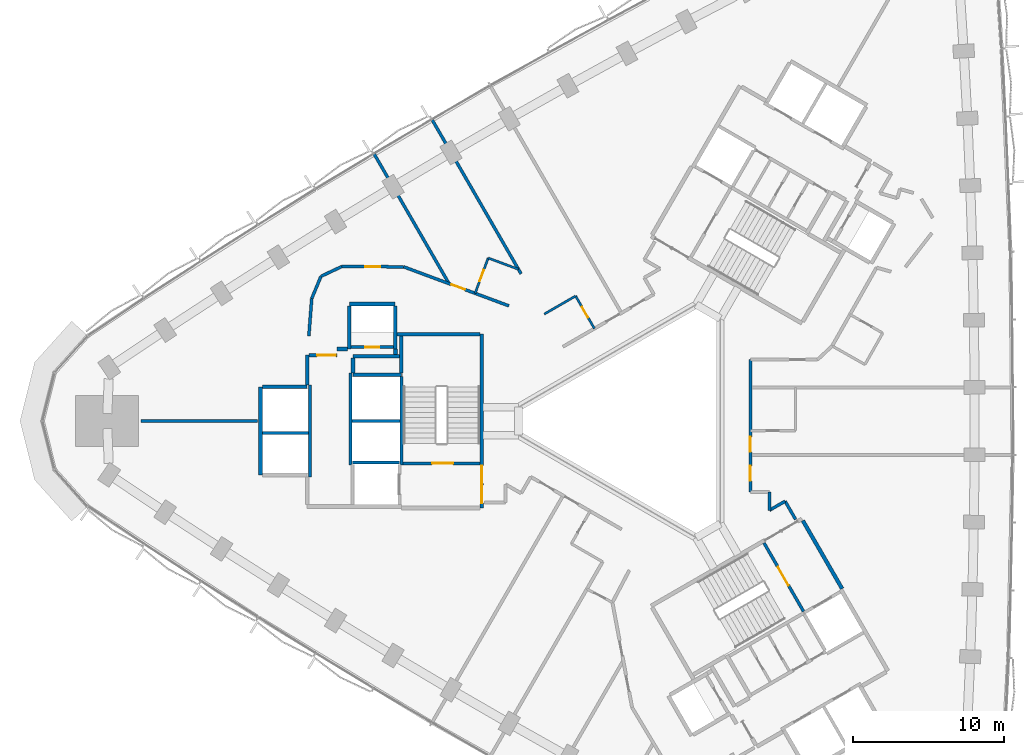
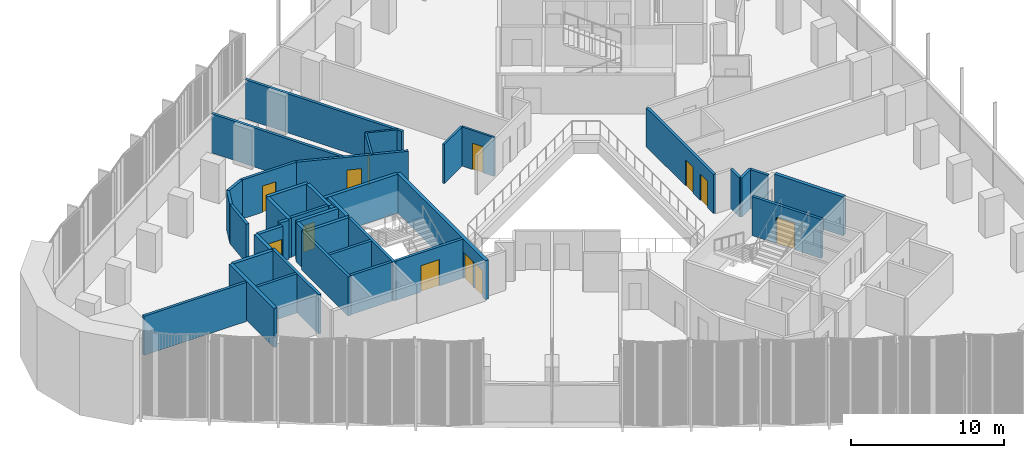
# One storey, part 11 of 16: 41 walls, 12 doors, 12 openings.
"""IFC4 building model written with IfcOpenShell, lengths in metres."""

from ifc_helpers import new_model, si_unit, direction, frame, frame_2d, origin, place, context, subcontext, project, spatial, rectangle, extrude, material, layer, layer_set, type_object, element, fill, save


model = new_model("IFC4")

# Units and contexts
model_context = context("Model", 3, precision=1e-05, world=origin(), true_north=direction((0.0, 1.0)))
body_context = subcontext(model_context, "Body", "Model", "MODEL_VIEW")
ifc_project = project(units=[si_unit("LENGTHUNIT", "METRE"), si_unit("AREAUNIT", "SQUARE_METRE"), si_unit("VOLUMEUNIT", "CUBIC_METRE"), si_unit("PLANEANGLEUNIT", "RADIAN"), si_unit("MASSUNIT", "GRAM", prefix="KILO")], contexts=[model_context])

# Site, building, storey
site_placement = place(None, origin())
site = spatial("IfcSite", under=ifc_project, at=site_placement, CompositionType="ELEMENT")
building_placement = place(site_placement, origin())
building = spatial("IfcBuilding", under=site, at=building_placement, Name="Tamra Quay Hotel Tower", CompositionType="ELEMENT")
storey_placement = place(building_placement, frame((0.0, 0.0, 45.800048828125)))
storey = spatial("IfcBuildingStorey", under=building, at=storey_placement, Name="L09", CompositionType="ELEMENT", Elevation=45.800048828125)

# Walls
ifc_material_1 = material(Name="Concrete M70", Category="concrete")
ifc_layer_1 = layer(ifc_material_1, 0.199951171875)
ifc_layer_set_1 = layer_set([ifc_layer_1], Name="Concrete M70 core wall 200")
wall_type_1 = type_object("IfcWallType", Name="Concrete M70 core wall 200", PredefinedType="SHEAR", material=ifc_layer_set_1)
wall_1_placement = place(storey_placement, frame((-16.162109375, 2.95068359375, 0.0), z_axis=(0.0, 0.0, 1.0), x_axis=(0.0, -1.0, 0.0)))
element("IfcWall", 1, at=wall_1_placement, inside=storey, type_object=wall_type_1, Name="CW2", PredefinedType="SHEAR", context=body_context, shape_type="SweptSolid", body=[
    extrude(rectangle(XDim=5.850830078125, YDim=0.199951171875, at=frame_2d((2.92529296875, 0.0))), origin(), (0.0, 0.0, 1.0), 3.125),
])
for number, where, z_axis, x_axis, name in (
    (2, (-19.5625, -2.900146484375, 0.0), (0.0, 0.0, 1.0), (0.0, 1.0, 0.0), "CW2"),
    (3, (-22.26220703125, 2.400146484375, 0.0), (0.0, 0.0, 1.0), (0.0, -1.0, 0.0), "CW2"),
):
    element("IfcWall", number, at=place(storey_placement, frame(where, z_axis=z_axis, x_axis=x_axis)), inside=storey, type_object=wall_type_1, Name=name, PredefinedType="SHEAR", context=body_context, shape_type="SweptSolid", body=[
        extrude(rectangle(XDim=6.100341796875, YDim=0.199951171875, at=frame_2d((3.05029296875, 0.0))), origin(), (0.0, 0.0, 1.0), 3.125),
    ])

# Wall, opening, door
wall_2_placement = place(storey_placement, frame((-10.96337890625, -2.800048828125, 0.0), z_axis=(0.0, 0.0, 1.0), x_axis=(-1.0, 0.0, 0.0)))
wall_2 = element("IfcWall", 4, at=wall_2_placement, inside=storey, type_object=wall_type_1, Name="CW2", PredefinedType="SHEAR", context=body_context, shape_type="SweptSolid", body=[
    extrude(rectangle(XDim=5.097900390625, YDim=0.199951171875, at=frame_2d((2.548828125, 0.0))), origin(), (0.0, 0.0, 1.0), 3.125),
])
opening_1_placement = place(wall_2_placement, frame((1.77392578125, 0.0, 0.0)))
opening_1 = element("IfcOpeningElement", 5, at=opening_1_placement, cuts=wall_2, Name="Opening FD2", PredefinedType="OPENING", context=body_context, shape_type="SweptSolid", body=[
    extrude(rectangle(XDim=1.39990234375, YDim=2.10009765625, at=frame_2d((0.699951171875, 1.050048828125))), frame((0.0, 0.10986328125, 0.0), z_axis=(0.0, -1.0, 0.0), x_axis=(1.0, 0.0, 0.0)), (0.0, 0.0, 1.0), 0.219970703125),
])
ifc_material_2 = material(Name="Core door FD2 1400x2100 RH")
door_type_1 = type_object("IfcDoorType", Name="Core door FD2 1400x2100 RH", OperationType="NOTDEFINED", PredefinedType="DOOR", material=ifc_material_2)
door_1_placement = place(opening_1_placement, origin())
door_1 = element("IfcDoor", 6, at=door_1_placement, inside=storey, type_object=door_type_1, Name="FD2", OperationType="SINGLE_SWING_RIGHT", OverallHeight=2.10009765625, OverallWidth=1.39990234375, PredefinedType="DOOR", context=body_context, shape_type="SweptSolid", body=[
    extrude(rectangle(XDim=1.39990234375, YDim=2.10009765625, at=frame_2d((0.699951171875, 1.050048828125))), frame((0.0, 0.02490234375, 0.0), z_axis=(0.0, -1.0, 0.0), x_axis=(1.0, 0.0, 0.0)), (0.0, 0.0, 1.0), 0.050048828125),
])
fill(opening_1, door_1)

# Walls
wall_3_placement = place(storey_placement, frame((-16.26318359375, 0.0, 0.0), z_axis=(0.0, 0.0, 1.0), x_axis=(-1.0, 0.0, 0.0)))
element("IfcWall", 7, at=wall_3_placement, inside=storey, type_object=wall_type_1, Name="CW2", PredefinedType="SHEAR", context=body_context, shape_type="SweptSolid", body=[
    extrude(rectangle(XDim=3.1982421875, YDim=0.199951171875, at=frame_2d((1.59912109375, 0.0))), origin(), (0.0, 0.0, 1.0), 3.125),
])
wall_4_placement = place(storey_placement, frame((-22.36328125, -0.800048828125, 0.0), z_axis=(0.0, 0.0, 1.0), x_axis=(-1.0, 0.0, 0.0)))
element("IfcWall", 8, at=wall_4_placement, inside=storey, type_object=wall_type_1, Name="CW2", PredefinedType="SHEAR", context=body_context, shape_type="SweptSolid", body=[
    extrude(rectangle(XDim=3.048095703125, YDim=0.199951171875, at=frame_2d((1.52392578125, 0.0))), origin(), (0.0, 0.0, 1.0), 3.125),
])

# Wall, opening, door
wall_5_placement = place(storey_placement, frame((-19.51123046875, 4.91015625, 0.0), z_axis=(0.0, 0.0, 1.0), x_axis=(1.0, 0.0, 0.0)))
wall_5 = element("IfcWall", 9, at=wall_5_placement, inside=storey, type_object=wall_type_1, Name="CW2", PredefinedType="SHEAR", context=body_context, shape_type="SweptSolid", body=[
    extrude(rectangle(XDim=2.7978515625, YDim=0.199951171875, at=frame_2d((1.39892578125, 0.0))), origin(), (0.0, 0.0, 1.0), 3.125),
])
opening_2_placement = place(wall_5_placement, frame((0.948974609375, 0.0, 0.0)))
opening_2 = element("IfcOpeningElement", 10, at=opening_2_placement, cuts=wall_5, Name="Opening D1", PredefinedType="OPENING", context=body_context, shape_type="SweptSolid", body=[
    extrude(rectangle(XDim=0.89990234375, YDim=2.10009765625, at=frame_2d((0.449951171875, 1.050048828125))), frame((0.0, 0.10986328125, 0.0), z_axis=(0.0, -1.0, 0.0), x_axis=(1.0, 0.0, 0.0)), (0.0, 0.0, 1.0), 0.219970703125),
])
ifc_material_3 = material(Name="Core door D1 900x2100 LH")
door_type_2 = type_object("IfcDoorType", Name="Core door D1 900x2100 LH", OperationType="NOTDEFINED", PredefinedType="DOOR", material=ifc_material_3)
door_2_placement = place(opening_2_placement, origin())
door_2 = element("IfcDoor", 11, at=door_2_placement, inside=storey, type_object=door_type_2, Name="D1", OperationType="SINGLE_SWING_LEFT", OverallHeight=2.10009765625, OverallWidth=0.89990234375, PredefinedType="DOOR", context=body_context, shape_type="SweptSolid", body=[
    extrude(rectangle(XDim=0.89990234375, YDim=2.10009765625, at=frame_2d((0.449951171875, 1.050048828125))), frame((0.0, 0.02490234375, 0.0), z_axis=(0.0, -1.0, 0.0), x_axis=(1.0, 0.0, 0.0)), (0.0, 0.0, 1.0), 0.050048828125),
])
fill(opening_2, door_2)

# Wall
wall_6_placement = place(storey_placement, frame((-19.412353515625, -2.75, 0.0), z_axis=(0.0, 0.0, 1.0), x_axis=(1.0, 0.0, 0.0)))
element("IfcWall", 12, at=wall_6_placement, inside=storey, type_object=wall_type_1, Name="CW2", PredefinedType="SHEAR", context=body_context, shape_type="SweptSolid", body=[
    extrude(rectangle(XDim=3.10009765625, YDim=0.199951171875, at=frame_2d((1.550048828125, 0.0))), origin(), (0.0, 0.0, 1.0), 3.125),
])

# Wall, opening, door
wall_7_placement = place(storey_placement, frame((7.906494140625, -8.094482421875, 0.0), z_axis=(0.0, 0.0, 1.0), x_axis=(0.500024287448, -0.866011380966, 0.0)))
wall_7 = element("IfcWall", 13, at=wall_7_placement, inside=storey, type_object=wall_type_1, Name="CW2", PredefinedType="SHEAR", context=body_context, shape_type="SweptSolid", body=[
    extrude(rectangle(XDim=5.251220703125, YDim=0.199951171875, at=frame_2d((2.62548828125, 0.0))), origin(), (0.0, 0.0, 1.0), 3.125),
])
opening_3_placement = place(wall_7_placement, frame((1.84912109375, 0.0, 0.0)))
opening_3 = element("IfcOpeningElement", 14, at=opening_3_placement, cuts=wall_7, Name="Opening FD2", PredefinedType="OPENING", context=body_context, shape_type="SweptSolid", body=[
    extrude(rectangle(XDim=1.39990234375, YDim=2.10009765625, at=frame_2d((0.699951171875, 1.050048828125))), frame((0.0, 0.10986328125, 0.0), z_axis=(0.0, -1.0, 0.0), x_axis=(1.0, 0.0, 0.0)), (0.0, 0.0, 1.0), 0.219970703125),
])
ifc_material_4 = material(Name="Core door FD2 1400x2100 LH")
door_type_3 = type_object("IfcDoorType", Name="Core door FD2 1400x2100 LH", OperationType="NOTDEFINED", PredefinedType="DOOR", material=ifc_material_4)
door_3_placement = place(opening_3_placement, origin())
door_3 = element("IfcDoor", 15, at=door_3_placement, inside=storey, type_object=door_type_3, Name="FD2", OperationType="SINGLE_SWING_LEFT", OverallHeight=2.10009765625, OverallWidth=1.39990234375, PredefinedType="DOOR", context=body_context, shape_type="SweptSolid", body=[
    extrude(rectangle(XDim=1.39990234375, YDim=2.10009765625, at=frame_2d((0.699951171875, 1.050048828125))), frame((0.0, 0.02490234375, 0.0), z_axis=(0.0, -1.0, 0.0), x_axis=(1.0, 0.0, 0.0)), (0.0, 0.0, 1.0), 0.050048828125),
])
fill(opening_3, door_3)

# Wall, openings, doors
ifc_layer_2 = layer(ifc_material_1, 0.25)
ifc_layer_set_2 = layer_set([ifc_layer_2], Name="Concrete M70 core wall 250")
wall_type_2 = type_object("IfcWallType", Name="Concrete M70 core wall 250", PredefinedType="SHEAR", material=ifc_layer_set_2)
wall_8_placement = place(storey_placement, frame((-10.83740234375, 5.77490234375, 0.0), z_axis=(0.0, 0.0, 1.0), x_axis=(0.0, -1.0, 0.0)))
wall_8 = element("IfcWall", 16, at=wall_8_placement, inside=storey, type_object=wall_type_2, Name="CW1", PredefinedType="SHEAR", context=body_context, shape_type="SweptSolid", body=[
    extrude(rectangle(XDim=11.5498046875, YDim=0.25, at=frame_2d((5.77490234375, 0.0))), origin(), (0.0, 0.0, 1.0), 3.125),
])
opening_4_placement = place(wall_8_placement, frame((10.02490234375, 0.0, 0.0)))
opening_4 = element("IfcOpeningElement", 17, at=opening_4_placement, cuts=wall_8, Name="Opening FD1", PredefinedType="OPENING", context=body_context, shape_type="SweptSolid", body=[
    extrude(rectangle(XDim=1.199951171875, YDim=2.10009765625, at=frame_2d((0.60009765625, 1.050048828125))), frame((0.0, 0.135009765625, 0.0), z_axis=(0.0, -1.0, 0.0), x_axis=(1.0, 0.0, 0.0)), (0.0, 0.0, 1.0), 0.27001953125),
])
opening_5_placement = place(wall_8_placement, frame((8.72509765625, 0.0, 0.0)))
opening_5 = element("IfcOpeningElement", 18, at=opening_5_placement, cuts=wall_8, Name="Opening FD1", PredefinedType="OPENING", context=body_context, shape_type="SweptSolid", body=[
    extrude(rectangle(XDim=1.199951171875, YDim=2.10009765625, at=frame_2d((0.60009765625, 1.050048828125))), frame((0.0, 0.135009765625, 0.0), z_axis=(0.0, -1.0, 0.0), x_axis=(1.0, 0.0, 0.0)), (0.0, 0.0, 1.0), 0.27001953125),
])
ifc_material_5 = material(Name="Core door FD1 1200x2100 LH")
door_type_4 = type_object("IfcDoorType", Name="Core door FD1 1200x2100 LH", OperationType="NOTDEFINED", PredefinedType="DOOR", material=ifc_material_5)
door_4_placement = place(opening_4_placement, origin())
door_4 = element("IfcDoor", 19, at=door_4_placement, inside=storey, type_object=door_type_4, Name="FD1", OperationType="SINGLE_SWING_LEFT", OverallHeight=2.10009765625, OverallWidth=1.199951171875, PredefinedType="DOOR", context=body_context, shape_type="SweptSolid", body=[
    extrude(rectangle(XDim=1.199951171875, YDim=2.10009765625, at=frame_2d((0.60009765625, 1.050048828125))), frame((0.0, 0.02490234375, 0.0), z_axis=(0.0, -1.0, 0.0), x_axis=(1.0, 0.0, 0.0)), (0.0, 0.0, 1.0), 0.050048828125),
])
fill(opening_4, door_4)
ifc_material_6 = material(Name="Core door FD1 1200x2100 RH")
door_type_5 = type_object("IfcDoorType", Name="Core door FD1 1200x2100 RH", OperationType="NOTDEFINED", PredefinedType="DOOR", material=ifc_material_6)
door_5_placement = place(opening_5_placement, origin())
door_5 = element("IfcDoor", 20, at=door_5_placement, inside=storey, type_object=door_type_5, Name="FD1", OperationType="SINGLE_SWING_RIGHT", OverallHeight=2.10009765625, OverallWidth=1.199951171875, PredefinedType="DOOR", context=body_context, shape_type="SweptSolid", body=[
    extrude(rectangle(XDim=1.199951171875, YDim=2.10009765625, at=frame_2d((0.60009765625, 1.050048828125))), frame((0.0, 0.02490234375, 0.0), z_axis=(0.0, -1.0, 0.0), x_axis=(1.0, 0.0, 0.0)), (0.0, 0.0, 1.0), 0.050048828125),
])
fill(opening_5, door_5)

# Walls
wall_9_placement = place(storey_placement, frame((-25.537353515625, -3.574951171875, 0.0), z_axis=(0.0, 0.0, 1.0), x_axis=(0.0, 1.0, 0.0)))
element("IfcWall", 21, at=wall_9_placement, inside=storey, type_object=wall_type_2, Name="CW1", PredefinedType="SHEAR", context=body_context, shape_type="SweptSolid", body=[
    extrude(rectangle(XDim=5.849853515625, YDim=0.25, at=frame_2d((2.9248046875, 0.0))), origin(), (0.0, 0.0, 1.0), 3.125),
])
wall_10_placement = place(storey_placement, frame((-16.47216796875, 5.77490234375, 0.0), z_axis=(0.0, 0.0, 1.0), x_axis=(1.0, 0.0, 0.0)))
element("IfcWall", 22, at=wall_10_placement, inside=storey, type_object=wall_type_2, Name="CW1", PredefinedType="SHEAR", context=body_context, shape_type="SweptSolid", body=[
    extrude(rectangle(XDim=5.509521484375, YDim=0.25, at=frame_2d((2.7548828125, 0.0))), origin(), (0.0, 0.0, 1.0), 3.125),
])
wall_11_placement = place(storey_placement, frame((-19.38720703125, 3.074951171875, 0.0), z_axis=(0.0, 0.0, 1.0), x_axis=(1.0, 0.0, 0.0)))
element("IfcWall", 23, at=wall_11_placement, inside=storey, type_object=wall_type_2, Name="CW1", PredefinedType="SHEAR", context=body_context, shape_type="SweptSolid", body=[
    extrude(rectangle(XDim=3.199951171875, YDim=0.25, at=frame_2d((1.60009765625, 0.0))), origin(), (0.0, 0.0, 1.0), 3.125),
])
wall_12_placement = place(storey_placement, frame((-25.411865234375, 2.27490234375, 0.0), z_axis=(0.0, 0.0, 1.0), x_axis=(1.0, 0.0, 0.0)))
element("IfcWall", 24, at=wall_12_placement, inside=storey, type_object=wall_type_2, Name="CW1", PredefinedType="SHEAR", context=body_context, shape_type="SweptSolid", body=[
    extrude(rectangle(XDim=2.974609375, YDim=0.25, at=frame_2d((1.4873046875, 0.0))), origin(), (0.0, 0.0, 1.0), 3.125),
])
wall_13_placement = place(storey_placement, frame((-19.63720703125, 7.77490234375, 0.0), z_axis=(0.0, 0.0, 1.0), x_axis=(1.0, 0.0, 0.0)))
element("IfcWall", 25, at=wall_13_placement, inside=storey, type_object=wall_type_2, Name="CW1", PredefinedType="SHEAR", context=body_context, shape_type="SweptSolid", body=[
    extrude(rectangle(XDim=3.0498046875, YDim=0.25, at=frame_2d((1.52490234375, 0.0))), origin(), (0.0, 0.0, 1.0), 3.125),
])
for number, where, z_axis, x_axis, name in (
    (26, (-16.58740234375, 7.649658203125, 0.0), (0.0, 0.0, 1.0), (0.0, -1.0, 0.0), "CW1"),
    (27, (-19.63720703125, 4.784912109375, 0.0), (0.0, 0.0, 1.0), (0.0, 1.0, 0.0), "CW1"),
):
    element("IfcWall", number, at=place(storey_placement, frame(where, z_axis=z_axis, x_axis=x_axis)), inside=storey, type_object=wall_type_2, Name=name, PredefinedType="SHEAR", context=body_context, shape_type="SweptSolid", body=[
        extrude(rectangle(XDim=2.86474609375, YDim=0.25, at=frame_2d((1.432373046875, 0.0))), origin(), (0.0, 0.0, 1.0), 3.125),
    ])
wall_14_placement = place(storey_placement, frame((-16.30224609375, 4.31494140625, 0.0), z_axis=(0.0, 0.0, 1.0), x_axis=(-1.0, 0.0, 0.0)))
element("IfcWall", 28, at=wall_14_placement, inside=storey, type_object=wall_type_2, Name="CW1", PredefinedType="SHEAR", context=body_context, shape_type="SweptSolid", body=[
    extrude(rectangle(XDim=3.0849609375, YDim=0.25, at=frame_2d((1.54248046875, 0.0))), origin(), (0.0, 0.0, 1.0), 3.125),
])
wall_15_placement = place(storey_placement, frame((-16.187255859375, 3.200439453125, 0.0), z_axis=(0.0, 0.0, 1.0), x_axis=(0.0, 1.0, 0.0)))
element("IfcWall", 29, at=wall_15_placement, inside=storey, type_object=wall_type_2, Name="CW1", PredefinedType="SHEAR", context=body_context, shape_type="SweptSolid", body=[
    extrude(rectangle(XDim=2.44921875, YDim=0.25, at=frame_2d((1.224609375, 0.0))), origin(), (0.0, 0.0, 1.0), 3.125),
])
wall_16_placement = place(storey_placement, frame((-22.437255859375, 2.400390625, 0.0), z_axis=(0.0, 0.0, 1.0), x_axis=(0.0, 1.0, 0.0)))
element("IfcWall", 30, at=wall_16_placement, inside=storey, type_object=wall_type_2, Name="CW1", PredefinedType="SHEAR", context=body_context, shape_type="SweptSolid", body=[
    extrude(rectangle(XDim=1.974609375, YDim=0.25, at=frame_2d((0.9873046875, 0.0))), origin(), (0.0, 0.0, 1.0), 3.125),
])

# Wall, opening, door
wall_17_placement = place(storey_placement, frame((-22.311767578125, 4.375, 0.0), z_axis=(0.0, 0.0, 1.0), x_axis=(1.0, 0.0, 0.0)))
wall_17 = element("IfcWall", 31, at=wall_17_placement, inside=storey, type_object=wall_type_2, Name="CW1", PredefinedType="SHEAR", context=body_context, shape_type="SweptSolid", body=[
    extrude(rectangle(XDim=1.864501953125, YDim=0.25, at=frame_2d((0.93212890625, 0.0))), origin(), (0.0, 0.0, 1.0), 3.125),
])
opening_6_placement = place(wall_17_placement, frame((0.53466796875, 0.0, 0.0)))
opening_6 = element("IfcOpeningElement", 32, at=opening_6_placement, cuts=wall_17, Name="Opening FD3", PredefinedType="OPENING", context=body_context, shape_type="SweptSolid", body=[
    extrude(rectangle(XDim=1.25, YDim=2.10009765625, at=frame_2d((0.625, 1.050048828125))), frame((0.0, 0.135009765625, 0.0), z_axis=(0.0, -1.0, 0.0), x_axis=(1.0, 0.0, 0.0)), (0.0, 0.0, 1.0), 0.27001953125),
])
ifc_material_7 = material(Name="Core door FD3 1250x2100 LH")
door_type_6 = type_object("IfcDoorType", Name="Core door FD3 1250x2100 LH", OperationType="NOTDEFINED", PredefinedType="DOOR", material=ifc_material_7)
door_6_placement = place(opening_6_placement, origin())
door_6 = element("IfcDoor", 33, at=door_6_placement, inside=storey, type_object=door_type_6, Name="FD3", OperationType="SINGLE_SWING_LEFT", OverallHeight=2.10009765625, OverallWidth=1.25, PredefinedType="DOOR", context=body_context, shape_type="SweptSolid", body=[
    extrude(rectangle(XDim=1.25, YDim=2.10009765625, at=frame_2d((0.625, 1.050048828125))), frame((0.0, 0.02490234375, 0.0), z_axis=(0.0, -1.0, 0.0), x_axis=(1.0, 0.0, 0.0)), (0.0, 0.0, 1.0), 0.050048828125),
])
fill(opening_6, door_6)

# Walls
wall_18_placement = place(storey_placement, frame((-19.38720703125, 4.189697265625, 0.0), z_axis=(0.0, 0.0, 1.0), x_axis=(0.0, -1.0, 0.0)))
element("IfcWall", 34, at=wall_18_placement, inside=storey, type_object=wall_type_2, Name="CW1", PredefinedType="SHEAR", context=body_context, shape_type="SweptSolid", body=[
    extrude(rectangle(XDim=0.9892578125, YDim=0.25, at=frame_2d((0.49462890625, 0.0))), origin(), (0.0, 0.0, 1.0), 3.125),
])
wall_19_placement = place(storey_placement, frame((-20.447265625, 4.784912109375, 0.0), z_axis=(0.0, 0.0, 1.0), x_axis=(1.0, 0.0, 0.0)))
element("IfcWall", 35, at=wall_19_placement, inside=storey, type_object=wall_type_2, Name="CW1", PredefinedType="SHEAR", context=body_context, shape_type="SweptSolid", body=[
    extrude(rectangle(XDim=0.6845703125, YDim=0.25, at=frame_2d((0.34228515625, 0.0))), origin(), (0.0, 0.0, 1.0), 3.125),
])
wall_20_placement = place(storey_placement, frame((-16.577392578125, 4.784912109375, 0.0), z_axis=(0.0, 0.0, 1.0), x_axis=(0.0, -1.0, 0.0)))
element("IfcWall", 36, at=wall_20_placement, inside=storey, type_object=wall_type_2, Name="CW1", PredefinedType="SHEAR", context=body_context, shape_type="SweptSolid", body=[
    extrude(rectangle(XDim=0.344482421875, YDim=0.25, at=frame_2d((0.17236328125, 0.0))), origin(), (0.0, 0.0, 1.0), 3.125),
])
wall_21_placement = place(storey_placement, frame((10.482666015625, -6.6064453125, 0.0), z_axis=(0.0, 0.0, 1.0), x_axis=(0.49999885962, -0.866026062182, 0.0)))
element("IfcWall", 37, at=wall_21_placement, inside=storey, type_object=wall_type_2, Name="CW1", PredefinedType="SHEAR", context=body_context, shape_type="SweptSolid", body=[
    extrude(rectangle(XDim=5.224609375, YDim=0.25, at=frame_2d((2.6123046875, 0.0))), origin(), (0.0, 0.0, 1.0), 3.125),
])
ifc_material_8 = material(Name="Partition corridor wall")
ifc_layer_3 = layer(ifc_material_8, 0.199951171875)
ifc_layer_set_3 = layer_set([ifc_layer_3], Name="Partition corridor wall")
wall_type_3 = type_object("IfcWallType", Name="Partition corridor wall", PredefinedType="PARTITIONING", material=ifc_layer_set_3)
wall_22_placement = place(storey_placement, frame((-22.135009765625, 8.1298828125, 0.0), z_axis=(0.0, 0.0, 1.0), x_axis=(-0.076073461031, -0.997102215686, 0.0)))
element("IfcWall", 38, at=wall_22_placement, inside=storey, type_object=wall_type_3, Name="W-C", PredefinedType="PARTITIONING", context=body_context, shape_type="SweptSolid", body=[
    extrude(rectangle(XDim=2.4873046875, YDim=0.199951171875, at=frame_2d((1.24365234375, 0.0))), origin(), (0.0, 0.0, 1.0), 3.125),
])
wall_23_placement = place(storey_placement, frame((-22.135009765625, 8.134033203125, 0.0), z_axis=(0.0, 0.0, 1.0), x_axis=(0.383208453534, 0.923661886807, 0.0)))
element("IfcWall", 39, at=wall_23_placement, inside=storey, type_object=wall_type_3, Name="W-C", PredefinedType="PARTITIONING", context=body_context, shape_type="SweptSolid", body=[
    extrude(rectangle(XDim=1.602294921875, YDim=0.199951171875, at=frame_2d((0.80126953125, 0.0))), origin(), (0.0, 0.0, 1.0), 3.125),
])
wall_24_placement = place(storey_placement, frame((-21.52099609375, 9.614013671875, 0.0), z_axis=(0.0, 0.0, 1.0), x_axis=(0.904083527367, 0.427355795028, 0.0)))
element("IfcWall", 40, at=wall_24_placement, inside=storey, type_object=wall_type_3, Name="W-C", PredefinedType="PARTITIONING", context=body_context, shape_type="SweptSolid", body=[
    extrude(rectangle(XDim=1.52294921875, YDim=0.199951171875, at=frame_2d((0.761474609375, 0.0))), origin(), (0.0, 0.0, 1.0), 3.125),
])

# Wall, opening, door
wall_25_placement = place(storey_placement, frame((-20.14306640625, 10.26611328125, 0.0), z_axis=(0.0, 0.0, 1.0), x_axis=(0.999989297417, -0.004626559416, 0.0)))
wall_25 = element("IfcWall", 41, at=wall_25_placement, inside=storey, type_object=wall_type_3, Name="W-C", PredefinedType="PARTITIONING", context=body_context, shape_type="SweptSolid", body=[
    extrude(rectangle(XDim=4.115966796875, YDim=0.199951171875, at=frame_2d((2.05810546875, 0.0))), origin(), (0.0, 0.0, 1.0), 3.125),
])
opening_7_placement = place(wall_25_placement, frame((1.55810546875, 0.0, 0.0)))
opening_7 = element("IfcOpeningElement", 42, at=opening_7_placement, cuts=wall_25, Name="Opening L09-D011", PredefinedType="OPENING", context=body_context, shape_type="SweptSolid", body=[
    extrude(rectangle(XDim=1.0, YDim=2.10009765625, at=frame_2d((0.5, 1.050048828125))), frame((0.0, 0.10986328125, 0.0), z_axis=(0.0, -1.0, 0.0), x_axis=(1.0, 0.0, 0.0)), (0.0, 0.0, 1.0), 0.219970703125),
])
ifc_material_9 = material(Name="Door guest room 1000x2100")
door_type_7 = type_object("IfcDoorType", Name="Door guest room 1000x2100", OperationType="NOTDEFINED", PredefinedType="DOOR", material=ifc_material_9)
door_7_placement = place(opening_7_placement, frame((1.0, 0.0, 0.0), z_axis=(0.0, 0.0, 1.0), x_axis=(-1.0, 0.0, 0.0)))
door_7 = element("IfcDoor", 43, at=door_7_placement, inside=storey, type_object=door_type_7, Name="L09-D011", OperationType="SINGLE_SWING_LEFT", OverallHeight=2.10009765625, OverallWidth=1.0, PredefinedType="DOOR", context=body_context, shape_type="SweptSolid", body=[
    extrude(rectangle(XDim=1.0, YDim=2.10009765625, at=frame_2d((0.5, 1.050048828125))), frame((0.0, 0.02490234375, 0.0), z_axis=(0.0, -1.0, 0.0), x_axis=(1.0, 0.0, 0.0)), (0.0, 0.0, 1.0), 0.050048828125),
])
fill(opening_7, door_7)

wall_26_placement = place(storey_placement, frame((-16.02587890625, 10.24609375, 0.0), z_axis=(0.0, 0.0, 1.0), x_axis=(0.937598236139, -0.347720502112, 0.0)))
wall_26 = element("IfcWall", 44, at=wall_26_placement, inside=storey, type_object=wall_type_3, Name="W-C", PredefinedType="PARTITIONING", context=body_context, shape_type="SweptSolid", body=[
    extrude(rectangle(XDim=7.45849609375, YDim=0.199951171875, at=frame_2d((3.729248046875, 0.0))), origin(), (0.0, 0.0, 1.0), 3.125),
])
opening_8_placement = place(wall_26_placement, frame((3.3955078125, 0.0, 0.0)))
opening_8 = element("IfcOpeningElement", 45, at=opening_8_placement, cuts=wall_26, Name="Opening L09-D009", PredefinedType="OPENING", context=body_context, shape_type="SweptSolid", body=[
    extrude(rectangle(XDim=0.949951171875, YDim=2.10009765625, at=frame_2d((0.47509765625, 1.050048828125))), frame((0.0, 0.10986328125, 0.0), z_axis=(0.0, -1.0, 0.0), x_axis=(1.0, 0.0, 0.0)), (0.0, 0.0, 1.0), 0.219970703125),
])
ifc_material_10 = material(Name="Door guest room 950x2100")
door_type_8 = type_object("IfcDoorType", Name="Door guest room 950x2100", OperationType="NOTDEFINED", PredefinedType="DOOR", material=ifc_material_10)
door_8_placement = place(opening_8_placement, origin())
door_8 = element("IfcDoor", 46, at=door_8_placement, inside=storey, type_object=door_type_8, Name="L09-D009", OperationType="SINGLE_SWING_LEFT", OverallHeight=2.10009765625, OverallWidth=0.949951171875, PredefinedType="DOOR", context=body_context, shape_type="SweptSolid", body=[
    extrude(rectangle(XDim=0.949951171875, YDim=2.10009765625, at=frame_2d((0.47509765625, 1.050048828125))), frame((0.0, 0.02490234375, 0.0), z_axis=(0.0, -1.0, 0.0), x_axis=(1.0, 0.0, 0.0)), (0.0, 0.0, 1.0), 0.050048828125),
])
fill(opening_8, door_8)

# Wall, openings, doors
wall_27_placement = place(storey_placement, frame((7.0, -4.720947265625, 0.0), z_axis=(0.0, 0.0, 1.0), x_axis=(0.0, 1.0, 0.0)))
wall_27 = element("IfcWall", 47, at=wall_27_placement, inside=storey, type_object=wall_type_3, Name="W-C", PredefinedType="PARTITIONING", context=body_context, shape_type="SweptSolid", body=[
    extrude(rectangle(XDim=8.798828125, YDim=0.199951171875, at=frame_2d((4.3994140625, 0.0))), origin(), (0.0, 0.0, 1.0), 3.125),
])
opening_9_placement = place(wall_27_placement, frame((0.7490234375, 0.0, 0.0)))
opening_9 = element("IfcOpeningElement", 48, at=opening_9_placement, cuts=wall_27, Name="Opening L09-D001", PredefinedType="OPENING", context=body_context, shape_type="SweptSolid", body=[
    extrude(rectangle(XDim=1.0, YDim=2.10009765625, at=frame_2d((0.5, 1.050048828125))), frame((0.0, 0.10986328125, 0.0), z_axis=(0.0, -1.0, 0.0), x_axis=(1.0, 0.0, 0.0)), (0.0, 0.0, 1.0), 0.219970703125),
])
opening_10_placement = place(wall_27_placement, frame((2.674072265625, 0.0, 0.0)))
opening_10 = element("IfcOpeningElement", 49, at=opening_10_placement, cuts=wall_27, Name="Opening L09-D002", PredefinedType="OPENING", context=body_context, shape_type="SweptSolid", body=[
    extrude(rectangle(XDim=1.0, YDim=2.10009765625, at=frame_2d((0.5, 1.050048828125))), frame((0.0, 0.10986328125, 0.0), z_axis=(0.0, -1.0, 0.0), x_axis=(1.0, 0.0, 0.0)), (0.0, 0.0, 1.0), 0.219970703125),
])
door_9_placement = place(opening_9_placement, frame((1.0, 0.0, 0.0), z_axis=(0.0, 0.0, 1.0), x_axis=(-1.0, 0.0, 0.0)))
door_9 = element("IfcDoor", 50, at=door_9_placement, inside=storey, type_object=door_type_7, Name="L09-D001", OperationType="SINGLE_SWING_LEFT", OverallHeight=2.10009765625, OverallWidth=1.0, PredefinedType="DOOR", context=body_context, shape_type="SweptSolid", body=[
    extrude(rectangle(XDim=1.0, YDim=2.10009765625, at=frame_2d((0.5, 1.050048828125))), frame((0.0, 0.02490234375, 0.0), z_axis=(0.0, -1.0, 0.0), x_axis=(1.0, 0.0, 0.0)), (0.0, 0.0, 1.0), 0.050048828125),
])
fill(opening_9, door_9)
door_10_placement = place(opening_10_placement, frame((1.0, 0.0, 0.0), z_axis=(0.0, 0.0, 1.0), x_axis=(-1.0, 0.0, 0.0)))
door_10 = element("IfcDoor", 51, at=door_10_placement, inside=storey, type_object=door_type_7, Name="L09-D002", OperationType="SINGLE_SWING_LEFT", OverallHeight=2.10009765625, OverallWidth=1.0, PredefinedType="DOOR", context=body_context, shape_type="SweptSolid", body=[
    extrude(rectangle(XDim=1.0, YDim=2.10009765625, at=frame_2d((0.5, 1.050048828125))), frame((0.0, 0.02490234375, 0.0), z_axis=(0.0, -1.0, 0.0), x_axis=(1.0, 0.0, 0.0)), (0.0, 0.0, 1.0), 0.050048828125),
])
fill(opening_10, door_10)

# Walls
wall_28_placement = place(storey_placement, frame((8.26806640625, -5.9208984375, 0.0), z_axis=(0.0, 0.0, 1.0), x_axis=(0.0, 1.0, 0.0)))
element("IfcWall", 52, at=wall_28_placement, inside=storey, type_object=wall_type_3, Name="W-C", PredefinedType="PARTITIONING", context=body_context, shape_type="SweptSolid", body=[
    extrude(rectangle(XDim=1.199951171875, YDim=0.199951171875, at=frame_2d((0.60009765625, 0.0))), origin(), (0.0, 0.0, 1.0), 3.125),
])
wall_29_placement = place(storey_placement, frame((8.26806640625, -5.9208984375, 0.0), z_axis=(0.0, 0.0, 1.0), x_axis=(0.866344856625, 0.499446282797, 0.0)))
element("IfcWall", 53, at=wall_29_placement, inside=storey, type_object=wall_type_3, Name="W-C", PredefinedType="PARTITIONING", context=body_context, shape_type="SweptSolid", body=[
    extrude(rectangle(XDim=1.198974609375, YDim=0.199951171875, at=frame_2d((0.599609375, 0.0))), origin(), (0.0, 0.0, 1.0), 3.125),
])
wall_30_placement = place(storey_placement, frame((9.306884765625, -5.322021484375, 0.0), z_axis=(0.0, 0.0, 1.0), x_axis=(0.500295157811, -0.865854927266, 0.0)))
element("IfcWall", 54, at=wall_30_placement, inside=storey, type_object=wall_type_3, Name="W-C", PredefinedType="PARTITIONING", context=body_context, shape_type="SweptSolid", body=[
    extrude(rectangle(XDim=1.389892578125, YDim=0.199951171875, at=frame_2d((0.69482421875, 0.0))), origin(), (0.0, 0.0, 1.0), 3.125),
])

# Wall, opening, door
ifc_material_11 = material(Name="Partition en-suite wall")
ifc_layer_4 = layer(ifc_material_11, 0.14990234375)
ifc_layer_set_4 = layer_set([ifc_layer_4], Name="Partition en-suite wall")
wall_type_4 = type_object("IfcWallType", Name="Partition en-suite wall", PredefinedType="PARTITIONING", material=ifc_layer_set_4)
wall_31_placement = place(storey_placement, frame((-11.282958984375, 8.487060546875, 0.0), z_axis=(0.0, 0.0, 1.0), x_axis=(0.347921729873, 0.937523583641, 0.0)))
wall_31 = element("IfcWall", 55, at=wall_31_placement, inside=storey, type_object=wall_type_4, Name="W-E", PredefinedType="PARTITIONING", context=body_context, shape_type="SweptSolid", body=[
    extrude(rectangle(XDim=2.500244140625, YDim=0.14990234375, at=frame_2d((1.25, 0.0))), origin(), (0.0, 0.0, 1.0), 3.125),
])
opening_11_placement = place(wall_31_placement, frame((0.85009765625, 0.0, 0.0)))
opening_11 = element("IfcOpeningElement", 56, at=opening_11_placement, cuts=wall_31, Name="Opening L09-D010", PredefinedType="OPENING", context=body_context, shape_type="SweptSolid", body=[
    extrude(rectangle(XDim=0.800048828125, YDim=2.10009765625, at=frame_2d((0.39990234375, 1.050048828125))), frame((0.0, 0.0849609375, 0.0), z_axis=(0.0, -1.0, 0.0), x_axis=(1.0, 0.0, 0.0)), (0.0, 0.0, 1.0), 0.169921875),
])
ifc_material_12 = material(Name="Door en-suite 800x2100")
door_type_9 = type_object("IfcDoorType", Name="Door en-suite 800x2100", OperationType="NOTDEFINED", PredefinedType="DOOR", material=ifc_material_12)
door_11_placement = place(opening_11_placement, origin())
door_11 = element("IfcDoor", 57, at=door_11_placement, inside=storey, type_object=door_type_9, Name="L09-D010", OperationType="SINGLE_SWING_LEFT", OverallHeight=2.10009765625, OverallWidth=0.800048828125, PredefinedType="DOOR", context=body_context, shape_type="SweptSolid", body=[
    extrude(rectangle(XDim=0.800048828125, YDim=2.10009765625, at=frame_2d((0.39990234375, 1.050048828125))), frame((0.0, 0.02490234375, 0.0), z_axis=(0.0, -1.0, 0.0), x_axis=(1.0, 0.0, 0.0)), (0.0, 0.0, 1.0), 0.050048828125),
])
fill(opening_11, door_11)

# Walls
wall_32_placement = place(storey_placement, frame((-10.4130859375, 10.8310546875, 0.0), z_axis=(0.0, 0.0, 1.0), x_axis=(0.937443331153, -0.348137904971, 0.0)))
element("IfcWall", 58, at=wall_32_placement, inside=storey, type_object=wall_type_4, Name="W-E", PredefinedType="PARTITIONING", context=body_context, shape_type="SweptSolid", body=[
    extrude(rectangle(XDim=2.14306640625, YDim=0.14990234375, at=frame_2d((1.071533203125, 0.0))), origin(), (0.0, 0.0, 1.0), 3.125),
])
wall_33_placement = place(storey_placement, frame((-6.68603515625, 7.110107421875, 0.0), z_axis=(0.0, 0.0, 1.0), x_axis=(0.866100915363, 0.499869187296, 0.0)))
element("IfcWall", 59, at=wall_33_placement, inside=storey, type_object=wall_type_4, Name="W-E", PredefinedType="PARTITIONING", context=body_context, shape_type="SweptSolid", body=[
    extrude(rectangle(XDim=2.400634765625, YDim=0.14990234375, at=frame_2d((1.2001953125, 0.0))), origin(), (0.0, 0.0, 1.0), 3.125),
])

# Wall, opening, door
wall_34_placement = place(storey_placement, frame((-4.60693359375, 8.31005859375, 0.0), z_axis=(0.0, 0.0, 1.0), x_axis=(0.500004234368, -0.866022959057, 0.0)))
wall_34 = element("IfcWall", 60, at=wall_34_placement, inside=storey, type_object=wall_type_4, Name="W-E", PredefinedType="PARTITIONING", context=body_context, shape_type="SweptSolid", body=[
    extrude(rectangle(XDim=2.5, YDim=0.14990234375, at=frame_2d((1.25, 0.0))), origin(), (0.0, 0.0, 1.0), 3.125),
])
opening_12_placement = place(wall_34_placement, frame((0.849853515625, 0.0, 0.0)))
opening_12 = element("IfcOpeningElement", 61, at=opening_12_placement, cuts=wall_34, Name="Opening L09-D008", PredefinedType="OPENING", context=body_context, shape_type="SweptSolid", body=[
    extrude(rectangle(XDim=0.800048828125, YDim=2.10009765625, at=frame_2d((0.39990234375, 1.050048828125))), frame((0.0, 0.0849609375, 0.0), z_axis=(0.0, -1.0, 0.0), x_axis=(1.0, 0.0, 0.0)), (0.0, 0.0, 1.0), 0.169921875),
])
door_12_placement = place(opening_12_placement, frame((0.800048828125, 0.0, 0.0), z_axis=(0.0, 0.0, 1.0), x_axis=(-1.0, 0.0, 0.0)))
door_12 = element("IfcDoor", 62, at=door_12_placement, inside=storey, type_object=door_type_9, Name="L09-D008", OperationType="SINGLE_SWING_LEFT", OverallHeight=2.10009765625, OverallWidth=0.800048828125, PredefinedType="DOOR", context=body_context, shape_type="SweptSolid", body=[
    extrude(rectangle(XDim=0.800048828125, YDim=2.10009765625, at=frame_2d((0.39990234375, 1.050048828125))), frame((0.0, 0.02490234375, 0.0), z_axis=(0.0, -1.0, 0.0), x_axis=(1.0, 0.0, 0.0)), (0.0, 0.0, 1.0), 0.050048828125),
])
fill(opening_12, door_12)

# Walls
ifc_material_13 = material(Name="Partition party wall")
ifc_layer_5 = layer(ifc_material_13, 0.199951171875)
ifc_layer_set_5 = layer_set([ifc_layer_5], Name="Partition party wall")
wall_type_5 = type_object("IfcWallType", Name="Partition party wall", PredefinedType="PARTITIONING", material=ifc_layer_set_5)
wall_35_placement = place(storey_placement, frame((-33.47802734375, 0.0, 0.0), z_axis=(0.0, 0.0, 1.0), x_axis=(1.0, 0.0, 0.0)))
element("IfcWall", 63, at=wall_35_placement, inside=storey, type_object=wall_type_5, Name="W-P", PredefinedType="PARTITIONING", context=body_context, shape_type="SweptSolid", body=[
    extrude(rectangle(XDim=7.755859375, YDim=0.199951171875, at=frame_2d((3.8779296875, 0.0))), origin(), (0.0, 0.0, 1.0), 3.125),
])
wall_36_placement = place(storey_placement, frame((-17.99560546875, 17.758056640625, 0.0), z_axis=(0.0, 0.0, 1.0), x_axis=(0.500046945013, -0.865998298372, 0.0)))
element("IfcWall", 64, at=wall_36_placement, inside=storey, type_object=wall_type_5, Name="W-P", PredefinedType="PARTITIONING", context=body_context, shape_type="SweptSolid", body=[
    extrude(rectangle(XDim=9.96435546875, YDim=0.199951171875, at=frame_2d((4.982177734375, 0.0))), origin(), (0.0, 0.0, 1.0), 3.125),
])
wall_37_placement = place(storey_placement, frame((-14.148681640625, 20.034912109375, 0.0), z_axis=(0.0, 0.0, 1.0), x_axis=(0.500022967158, -0.866012143284, 0.0)))
element("IfcWall", 65, at=wall_37_placement, inside=storey, type_object=wall_type_5, Name="W-P", PredefinedType="PARTITIONING", context=body_context, shape_type="SweptSolid", body=[
    extrude(rectangle(XDim=11.837890625, YDim=0.199951171875, at=frame_2d((5.9189453125, 0.0))), origin(), (0.0, 0.0, 1.0), 3.125),
])

save(model, "model.ifc")
